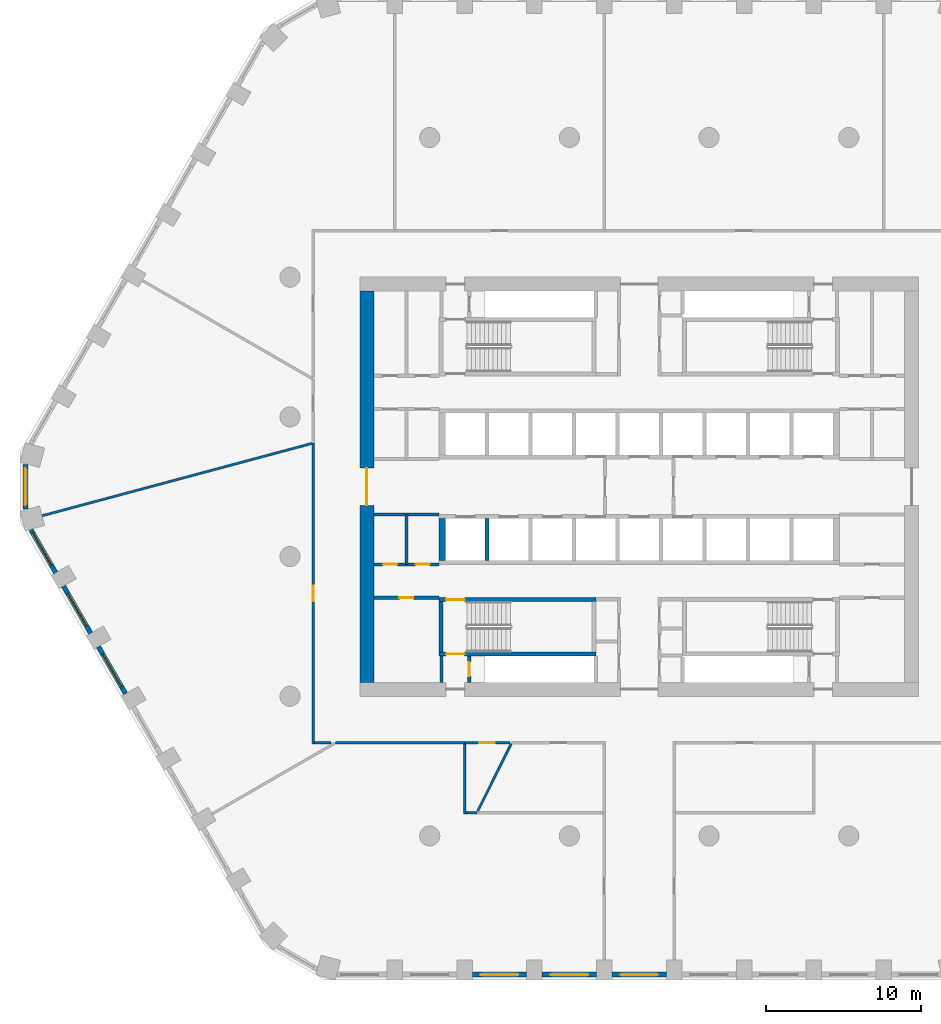
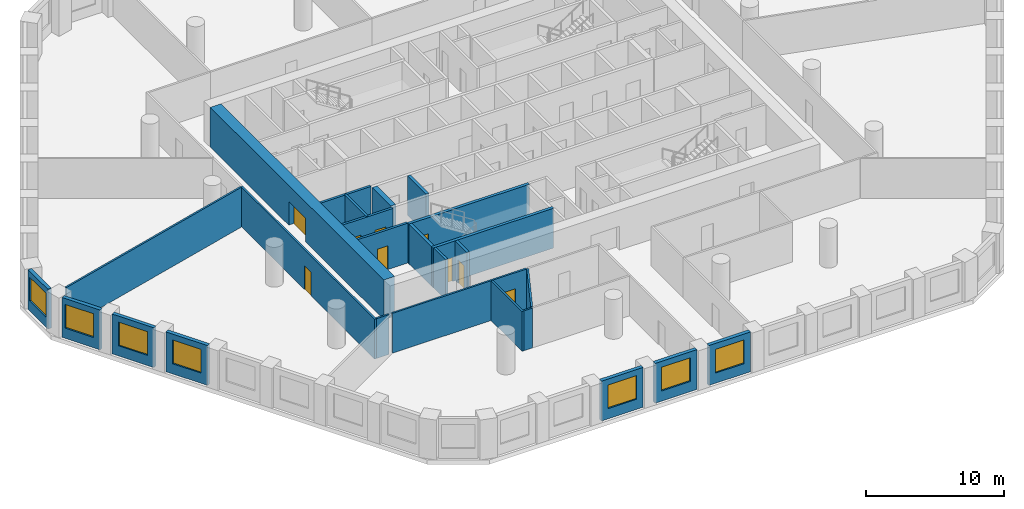
# One storey, part 2 of 9: 27 walls, 9 doors, 7 windows, 16 openings.
"""IFC4 building model written with IfcOpenShell, lengths in metres."""

from ifc_helpers import new_model, si_unit, direction, frame, frame_2d, origin, place, context, subcontext, project, spatial, polyline, rectangle, outline, extrude, material, layer, layer_set, type_object, element, fill, save


model = new_model("IFC4")

# Units and contexts
model_context = context("Model", 3, precision=1e-05, world=origin(), true_north=direction((0.0, 1.0)))
body_context = subcontext(model_context, "Body", "Model", "MODEL_VIEW")
ifc_project = project(units=[si_unit("LENGTHUNIT", "METRE"), si_unit("AREAUNIT", "SQUARE_METRE"), si_unit("VOLUMEUNIT", "CUBIC_METRE"), si_unit("PLANEANGLEUNIT", "RADIAN"), si_unit("MASSUNIT", "GRAM", prefix="KILO")], contexts=[model_context])

# Site, building, storey
site_placement = place(None, origin())
site = spatial("IfcSite", under=ifc_project, at=site_placement, CompositionType="ELEMENT")
building_placement = place(site_placement, origin())
building = spatial("IfcBuilding", under=site, at=building_placement, Name="Dhurran Vertical Campus", CompositionType="ELEMENT")
storey_placement = place(building_placement, frame((0.0, 0.0, 116.39990234375)))
storey = spatial("IfcBuildingStorey", under=building, at=storey_placement, Name="L28", CompositionType="ELEMENT", Elevation=116.39990234375)

# Wall, opening, window
ifc_material_1 = material(Name="Precast concrete C50/60", Category="concrete")
ifc_layer_1 = layer(ifc_material_1, 0.300048828125)
ifc_layer_set_1 = layer_set([ifc_layer_1], Name="Precast concrete C50/60")
wall_type_1 = type_object("IfcWallType", Name="Precast spandrel wall 300", PredefinedType="SOLIDWALL", material=ifc_layer_set_1)
wall_1_placement = place(storey_placement, frame((-10.74951171875, -31.4296875, 0.0), z_axis=(0.0, 0.0, 1.0), x_axis=(1.0, 0.0, 0.0)))
wall_1 = element("IfcWall", 1, at=wall_1_placement, inside=storey, type_object=wall_type_1, Name="EW1 L28.02", PredefinedType="SOLIDWALL", context=body_context, shape_type="SweptSolid", body=[
    extrude(rectangle(XDim=3.4990234375, YDim=0.300048828125, at=frame_2d((1.74951171875, 0.0))), origin(), (0.0, 0.0, 1.0), 3.525146484375),
])
opening_1_placement = place(wall_1_placement, frame((0.549560546875, 0.0, 0.89990234375)))
opening_1 = element("IfcOpeningElement", 2, at=opening_1_placement, cuts=wall_1, Name="Opening WT1", PredefinedType="OPENING", context=body_context, shape_type="SweptSolid", body=[
    extrude(rectangle(XDim=2.39990234375, YDim=2.10009765625, at=frame_2d((1.199951171875, 1.050048828125))), frame((0.0, 0.159912109375, 0.0), z_axis=(0.0, -1.0, 0.0), x_axis=(1.0, 0.0, 0.0)), (0.0, 0.0, 1.0), 0.320068359375),
])
ifc_material_2 = material(Name="Aluminium frame with solar-control glass", Category="aluminium")
window_type = type_object("IfcWindowType", Name="Punched window 2400 x 2100", PartitioningType="SINGLE_PANEL", PredefinedType="WINDOW", material=ifc_material_2)
window_1_placement = place(opening_1_placement, origin())
window_1 = element("IfcWindow", 3, at=window_1_placement, inside=storey, type_object=window_type, Name="WT1 L28.02", OverallHeight=2.10009765625, OverallWidth=2.39990234375, PartitioningType="SINGLE_PANEL", PredefinedType="WINDOW", context=body_context, shape_type="SweptSolid", body=[
    extrude(rectangle(XDim=2.39990234375, YDim=2.10009765625, at=frame_2d((1.199951171875, 1.050048828125))), frame((0.0, 0.030029296875, 0.0), z_axis=(0.0, -1.0, 0.0), x_axis=(1.0, 0.0, 0.0)), (0.0, 0.0, 1.0), 0.06005859375),
])
fill(opening_1, window_1)

wall_2_placement = place(storey_placement, frame((-6.24951171875, -31.4296875, 0.0), z_axis=(0.0, 0.0, 1.0), x_axis=(1.0, 0.0, 0.0)))
wall_2 = element("IfcWall", 4, at=wall_2_placement, inside=storey, type_object=wall_type_1, Name="EW1 L28.03", PredefinedType="SOLIDWALL", context=body_context, shape_type="SweptSolid", body=[
    extrude(rectangle(XDim=3.4990234375, YDim=0.300048828125, at=frame_2d((1.74951171875, 0.0))), origin(), (0.0, 0.0, 1.0), 3.525146484375),
])
opening_2_placement = place(wall_2_placement, frame((0.549560546875, 0.0, 0.89990234375)))
opening_2 = element("IfcOpeningElement", 5, at=opening_2_placement, cuts=wall_2, Name="Opening WT1", PredefinedType="OPENING", context=body_context, shape_type="SweptSolid", body=[
    extrude(rectangle(XDim=2.39990234375, YDim=2.10009765625, at=frame_2d((1.199951171875, 1.050048828125))), frame((0.0, 0.159912109375, 0.0), z_axis=(0.0, -1.0, 0.0), x_axis=(1.0, 0.0, 0.0)), (0.0, 0.0, 1.0), 0.320068359375),
])
window_2_placement = place(opening_2_placement, origin())
window_2 = element("IfcWindow", 6, at=window_2_placement, inside=storey, type_object=window_type, Name="WT1 L28.03", OverallHeight=2.10009765625, OverallWidth=2.39990234375, PartitioningType="SINGLE_PANEL", PredefinedType="WINDOW", context=body_context, shape_type="SweptSolid", body=[
    extrude(rectangle(XDim=2.39990234375, YDim=2.10009765625, at=frame_2d((1.199951171875, 1.050048828125))), frame((0.0, 0.030029296875, 0.0), z_axis=(0.0, -1.0, 0.0), x_axis=(1.0, 0.0, 0.0)), (0.0, 0.0, 1.0), 0.06005859375),
])
fill(opening_2, window_2)

wall_3_placement = place(storey_placement, frame((-1.74951171875, -31.4296875, 0.0), z_axis=(0.0, 0.0, 1.0), x_axis=(1.0, 0.0, 0.0)))
wall_3 = element("IfcWall", 7, at=wall_3_placement, inside=storey, type_object=wall_type_1, Name="EW1 L28.04", PredefinedType="SOLIDWALL", context=body_context, shape_type="SweptSolid", body=[
    extrude(rectangle(XDim=3.4990234375, YDim=0.300048828125, at=frame_2d((1.74951171875, 0.0))), origin(), (0.0, 0.0, 1.0), 3.525146484375),
])
opening_3_placement = place(wall_3_placement, frame((0.549560546875, 0.0, 0.89990234375)))
opening_3 = element("IfcOpeningElement", 8, at=opening_3_placement, cuts=wall_3, Name="Opening WT1", PredefinedType="OPENING", context=body_context, shape_type="SweptSolid", body=[
    extrude(rectangle(XDim=2.39990234375, YDim=2.10009765625, at=frame_2d((1.199951171875, 1.050048828125))), frame((0.0, 0.159912109375, 0.0), z_axis=(0.0, -1.0, 0.0), x_axis=(1.0, 0.0, 0.0)), (0.0, 0.0, 1.0), 0.320068359375),
])
window_3_placement = place(opening_3_placement, origin())
window_3 = element("IfcWindow", 9, at=window_3_placement, inside=storey, type_object=window_type, Name="WT1 L28.04", OverallHeight=2.10009765625, OverallWidth=2.39990234375, PartitioningType="SINGLE_PANEL", PredefinedType="WINDOW", context=body_context, shape_type="SweptSolid", body=[
    extrude(rectangle(XDim=2.39990234375, YDim=2.10009765625, at=frame_2d((1.199951171875, 1.050048828125))), frame((0.0, 0.030029296875, 0.0), z_axis=(0.0, -1.0, 0.0), x_axis=(1.0, 0.0, 0.0)), (0.0, 0.0, 1.0), 0.06005859375),
])
fill(opening_3, window_3)

wall_4_placement = place(storey_placement, frame((-39.547119140625, 1.44287109375, 0.0), z_axis=(0.0, 0.0, 1.0), x_axis=(0.0, -1.0, 0.0)))
wall_4 = element("IfcWall", 10, at=wall_4_placement, inside=storey, type_object=wall_type_1, Name="EW1 L28.43", PredefinedType="SOLIDWALL", context=body_context, shape_type="SweptSolid", body=[
    extrude(rectangle(XDim=2.8857421875, YDim=0.300048828125, at=frame_2d((1.44287109375, 0.0))), origin(), (0.0, 0.0, 1.0), 3.525146484375),
])
opening_4_placement = place(wall_4_placement, frame((0.242919921875, 0.0, 0.89990234375)))
opening_4 = element("IfcOpeningElement", 11, at=opening_4_placement, cuts=wall_4, Name="Opening WT1", PredefinedType="OPENING", context=body_context, shape_type="SweptSolid", body=[
    extrude(rectangle(XDim=2.39990234375, YDim=2.10009765625, at=frame_2d((1.199951171875, 1.050048828125))), frame((0.0, 0.159912109375, 0.0), z_axis=(0.0, -1.0, 0.0), x_axis=(1.0, 0.0, 0.0)), (0.0, 0.0, 1.0), 0.320068359375),
])
window_4_placement = place(opening_4_placement, origin())
window_4 = element("IfcWindow", 12, at=window_4_placement, inside=storey, type_object=window_type, Name="WT1 L28.43", OverallHeight=2.10009765625, OverallWidth=2.39990234375, PartitioningType="SINGLE_PANEL", PredefinedType="WINDOW", context=body_context, shape_type="SweptSolid", body=[
    extrude(rectangle(XDim=2.39990234375, YDim=2.10009765625, at=frame_2d((1.199951171875, 1.050048828125))), frame((0.0, 0.030029296875, 0.0), z_axis=(0.0, -1.0, 0.0), x_axis=(1.0, 0.0, 0.0)), (0.0, 0.0, 1.0), 0.06005859375),
])
fill(opening_4, window_4)

wall_5_placement = place(storey_placement, frame((-39.1904296875, -2.774169921875, 0.0), z_axis=(0.0, 0.0, 1.0), x_axis=(0.500004907028, -0.866022570692, 0.0)))
wall_5 = element("IfcWall", 13, at=wall_5_placement, inside=storey, type_object=wall_type_1, Name="EW1 L28.44", PredefinedType="SOLIDWALL", context=body_context, shape_type="SweptSolid", body=[
    extrude(rectangle(XDim=3.1923828125, YDim=0.300048828125, at=frame_2d((1.59619140625, 0.0))), origin(), (0.0, 0.0, 1.0), 3.525146484375),
])
opening_5_placement = place(wall_5_placement, frame((0.242919921875, 0.0, 0.89990234375)))
opening_5 = element("IfcOpeningElement", 14, at=opening_5_placement, cuts=wall_5, Name="Opening WT1", PredefinedType="OPENING", context=body_context, shape_type="SweptSolid", body=[
    extrude(rectangle(XDim=2.39990234375, YDim=2.10009765625, at=frame_2d((1.199951171875, 1.050048828125))), frame((0.0, 0.159912109375, 0.0), z_axis=(0.0, -1.0, 0.0), x_axis=(1.0, 0.0, 0.0)), (0.0, 0.0, 1.0), 0.320068359375),
])
window_5_placement = place(opening_5_placement, origin())
window_5 = element("IfcWindow", 15, at=window_5_placement, inside=storey, type_object=window_type, Name="WT1 L28.44", OverallHeight=2.10009765625, OverallWidth=2.39990234375, PartitioningType="SINGLE_PANEL", PredefinedType="WINDOW", context=body_context, shape_type="SweptSolid", body=[
    extrude(rectangle(XDim=2.39990234375, YDim=2.10009765625, at=frame_2d((1.199951171875, 1.050048828125))), frame((0.0, 0.030029296875, 0.0), z_axis=(0.0, -1.0, 0.0), x_axis=(1.0, 0.0, 0.0)), (0.0, 0.0, 1.0), 0.06005859375),
])
fill(opening_5, window_5)

wall_6_placement = place(storey_placement, frame((-37.09375, -6.405517578125, 0.0), z_axis=(0.0, 0.0, 1.0), x_axis=(0.499996256241, -0.866027565234, 0.0)))
wall_6 = element("IfcWall", 16, at=wall_6_placement, inside=storey, type_object=wall_type_1, Name="EW1 L28.45", PredefinedType="SOLIDWALL", context=body_context, shape_type="SweptSolid", body=[
    extrude(rectangle(XDim=3.4990234375, YDim=0.300048828125, at=frame_2d((1.74951171875, 0.0))), origin(), (0.0, 0.0, 1.0), 3.525146484375),
])
opening_6_placement = place(wall_6_placement, frame((0.549560546875, 0.0, 0.89990234375)))
opening_6 = element("IfcOpeningElement", 17, at=opening_6_placement, cuts=wall_6, Name="Opening WT1", PredefinedType="OPENING", context=body_context, shape_type="SweptSolid", body=[
    extrude(rectangle(XDim=2.39990234375, YDim=2.10009765625, at=frame_2d((1.199951171875, 1.050048828125))), frame((0.0, 0.159912109375, 0.0), z_axis=(0.0, -1.0, 0.0), x_axis=(1.0, 0.0, 0.0)), (0.0, 0.0, 1.0), 0.320068359375),
])
window_6_placement = place(opening_6_placement, origin())
window_6 = element("IfcWindow", 18, at=window_6_placement, inside=storey, type_object=window_type, Name="WT1 L28.45", OverallHeight=2.10009765625, OverallWidth=2.39990234375, PartitioningType="SINGLE_PANEL", PredefinedType="WINDOW", context=body_context, shape_type="SweptSolid", body=[
    extrude(rectangle(XDim=2.39990234375, YDim=2.10009765625, at=frame_2d((1.199951171875, 1.050048828125))), frame((0.0, 0.030029296875, 0.0), z_axis=(0.0, -1.0, 0.0), x_axis=(1.0, 0.0, 0.0)), (0.0, 0.0, 1.0), 0.06005859375),
])
fill(opening_6, window_6)

wall_7_placement = place(storey_placement, frame((-34.84375, -10.302734375, 0.0), z_axis=(0.0, 0.0, 1.0), x_axis=(0.499996256241, -0.866027565234, 0.0)))
wall_7 = element("IfcWall", 19, at=wall_7_placement, inside=storey, type_object=wall_type_1, Name="EW1 L28.46", PredefinedType="SOLIDWALL", context=body_context, shape_type="SweptSolid", body=[
    extrude(rectangle(XDim=3.4990234375, YDim=0.300048828125, at=frame_2d((1.74951171875, 0.0))), origin(), (0.0, 0.0, 1.0), 3.525146484375),
])
opening_7_placement = place(wall_7_placement, frame((0.549560546875, 0.0, 0.89990234375)))
opening_7 = element("IfcOpeningElement", 20, at=opening_7_placement, cuts=wall_7, Name="Opening WT1", PredefinedType="OPENING", context=body_context, shape_type="SweptSolid", body=[
    extrude(rectangle(XDim=2.39990234375, YDim=2.10009765625, at=frame_2d((1.199951171875, 1.050048828125))), frame((0.0, 0.159912109375, 0.0), z_axis=(0.0, -1.0, 0.0), x_axis=(1.0, 0.0, 0.0)), (0.0, 0.0, 1.0), 0.320068359375),
])
window_7_placement = place(opening_7_placement, origin())
window_7 = element("IfcWindow", 21, at=window_7_placement, inside=storey, type_object=window_type, Name="WT1 L28.46", OverallHeight=2.10009765625, OverallWidth=2.39990234375, PartitioningType="SINGLE_PANEL", PredefinedType="WINDOW", context=body_context, shape_type="SweptSolid", body=[
    extrude(rectangle(XDim=2.39990234375, YDim=2.10009765625, at=frame_2d((1.199951171875, 1.050048828125))), frame((0.0, 0.030029296875, 0.0), z_axis=(0.0, -1.0, 0.0), x_axis=(1.0, 0.0, 0.0)), (0.0, 0.0, 1.0), 0.06005859375),
])
fill(opening_7, window_7)

# Wall, opening, door
ifc_material_3 = material(Name="Concrete C60/75", Category="concrete")
ifc_layer_2 = layer(ifc_material_3, 0.89990234375)
ifc_layer_set_2 = layer_set([ifc_layer_2], Name="Concrete C60/75")
wall_type_2 = type_object("IfcWallType", Name="co-CORE-WALL-C0-900", PredefinedType="SHEAR", material=ifc_layer_set_2)
wall_8_placement = place(storey_placement, frame((-17.550048828125, -12.60009765625, 0.0), z_axis=(0.0, 0.0, 1.0), x_axis=(0.0, 1.0, 0.0)))
wall_8 = element("IfcWall", 22, at=wall_8_placement, inside=storey, type_object=wall_type_2, Name="Core wall W L28", PredefinedType="SHEAR", context=body_context, shape_type="SweptSolid", body=[
    extrude(rectangle(XDim=25.2001953125, YDim=0.89990234375, at=frame_2d((12.60009765625, 0.0))), origin(), (0.0, 0.0, 1.0), 3.525146484375),
])
opening_8_placement = place(wall_8_placement, frame((11.39990234375, 0.0, 0.0)))
opening_8 = element("IfcOpeningElement", 23, at=opening_8_placement, cuts=wall_8, Name="Opening CL1", PredefinedType="OPENING", context=body_context, shape_type="SweptSolid", body=[
    extrude(rectangle(XDim=2.39990234375, YDim=2.10009765625, at=frame_2d((1.199951171875, 1.050048828125))), frame((0.0, 0.4599609375, 0.0), z_axis=(0.0, -1.0, 0.0), x_axis=(1.0, 0.0, 0.0)), (0.0, 0.0, 1.0), 0.919921875),
])
ifc_material_4 = material(Name="Fire-rated glazed door set")
door_type_1 = type_object("IfcDoorType", Name="co-D-LOBBY 2400x2100", OperationType="DOUBLE_DOOR_DOUBLE_SWING", PredefinedType="DOOR", material=ifc_material_4)
door_1_placement = place(opening_8_placement, origin())
door_1 = element("IfcDoor", 24, at=door_1_placement, inside=storey, type_object=door_type_1, Name="Lift lobby door W L28", OperationType="DOUBLE_DOOR_DOUBLE_SWING", OverallHeight=2.10009765625, OverallWidth=2.39990234375, PredefinedType="DOOR", context=body_context, shape_type="SweptSolid", body=[
    extrude(rectangle(XDim=2.39990234375, YDim=2.10009765625, at=frame_2d((1.199951171875, 1.050048828125))), frame((0.0, 0.02490234375, 0.0), z_axis=(0.0, -1.0, 0.0), x_axis=(1.0, 0.0, 0.0)), (0.0, 0.0, 1.0), 0.050048828125),
])
fill(opening_8, door_1)

# Wall
ifc_material_5 = material(Name="Fire-rated masonry blockwork", Category="masonry")
ifc_layer_3 = layer(ifc_material_5, 0.199951171875)
ifc_layer_set_3 = layer_set([ifc_layer_3], Name="Fire-rated masonry blockwork")
wall_type_3 = type_object("IfcWallType", Name="co-FIRE-PARTITION-200", PredefinedType="PARTITIONING", material=ifc_layer_set_3)
wall_9_placement = place(storey_placement, frame((-12.75, -12.60009765625, 0.0), z_axis=(0.0, 0.0, 1.0), x_axis=(0.0, 1.0, 0.0)))
element("IfcWall", 25, at=wall_9_placement, inside=storey, type_object=wall_type_3, Name="Core partition pass-ST3-o L28", PredefinedType="PARTITIONING", context=body_context, shape_type="SweptSolid", body=[
    extrude(rectangle(XDim=1.7001953125, YDim=0.199951171875, at=frame_2d((0.85009765625, 0.0))), origin(), (0.0, 0.0, 1.0), 3.525146484375),
])

# Wall, opening, door
wall_10_placement = place(storey_placement, frame((-10.949951171875, -12.60009765625, 0.0), z_axis=(0.0, 0.0, 1.0), x_axis=(0.0, 1.0, 0.0)))
wall_10 = element("IfcWall", 26, at=wall_10_placement, inside=storey, type_object=wall_type_3, Name="Core partition pass-ST3-i L28", PredefinedType="PARTITIONING", context=body_context, shape_type="SweptSolid", body=[
    extrude(rectangle(XDim=1.7001953125, YDim=0.199951171875, at=frame_2d((0.85009765625, 0.0))), origin(), (0.0, 0.0, 1.0), 3.525146484375),
])
opening_9_placement = place(wall_10_placement, frame((0.39990234375, 0.0, 0.0)))
opening_9 = element("IfcOpeningElement", 27, at=opening_9_placement, cuts=wall_10, Name="Opening T08-C11", PredefinedType="OPENING", context=body_context, shape_type="SweptSolid", body=[
    extrude(rectangle(XDim=0.89990234375, YDim=2.10009765625, at=frame_2d((0.449951171875, 1.050048828125))), frame((0.0, 0.10986328125, 0.0), z_axis=(0.0, -1.0, 0.0), x_axis=(1.0, 0.0, 0.0)), (0.0, 0.0, 1.0), 0.219970703125),
])
ifc_material_6 = material(Name="Fire-rated timber door set", Category="wood")
door_type_2 = type_object("IfcDoorType", Name="co-D-ROOM 900x2100", OperationType="SINGLE_SWING_LEFT", PredefinedType="DOOR", material=ifc_material_6)
door_2_placement = place(opening_9_placement, origin())
door_2 = element("IfcDoor", 28, at=door_2_placement, inside=storey, type_object=door_type_2, Name="Riser room door L28", OperationType="SINGLE_SWING_LEFT", OverallHeight=2.10009765625, OverallWidth=0.89990234375, PredefinedType="DOOR", context=body_context, shape_type="SweptSolid", body=[
    extrude(rectangle(XDim=0.89990234375, YDim=2.10009765625, at=frame_2d((0.449951171875, 1.050048828125))), frame((0.0, 0.02490234375, 0.0), z_axis=(0.0, -1.0, 0.0), x_axis=(1.0, 0.0, 0.0)), (0.0, 0.0, 1.0), 0.050048828125),
])
fill(opening_9, door_2)

wall_11_placement = place(storey_placement, frame((-17.10009765625, -7.14990234375, 0.0), z_axis=(0.0, 0.0, 1.0), x_axis=(1.0, 0.0, 0.0)))
wall_11 = element("IfcWall", 29, at=wall_11_placement, inside=storey, type_object=wall_type_3, Name="Core partition en-SW-w L28", PredefinedType="PARTITIONING", context=body_context, shape_type="SweptSolid", body=[
    extrude(rectangle(XDim=4.2001953125, YDim=0.199951171875, at=frame_2d((2.10009765625, 0.0))), origin(), (0.0, 0.0, 1.0), 3.525146484375),
])
opening_10_placement = place(wall_11_placement, frame((1.64990234375, 0.0, 0.0)))
opening_10 = element("IfcOpeningElement", 30, at=opening_10_placement, cuts=wall_11, Name="Opening T08-C21", PredefinedType="OPENING", context=body_context, shape_type="SweptSolid", body=[
    extrude(rectangle(XDim=0.89990234375, YDim=2.10009765625, at=frame_2d((0.449951171875, 1.050048828125))), frame((0.0, 0.10986328125, 0.0), z_axis=(0.0, -1.0, 0.0), x_axis=(1.0, 0.0, 0.0)), (0.0, 0.0, 1.0), 0.219970703125),
])
door_3_placement = place(opening_10_placement, origin())
door_3 = element("IfcDoor", 31, at=door_3_placement, inside=storey, type_object=door_type_2, Name="Waste room door L28", OperationType="SINGLE_SWING_LEFT", OverallHeight=2.10009765625, OverallWidth=0.89990234375, PredefinedType="DOOR", context=body_context, shape_type="SweptSolid", body=[
    extrude(rectangle(XDim=0.89990234375, YDim=2.10009765625, at=frame_2d((0.449951171875, 1.050048828125))), frame((0.0, 0.02490234375, 0.0), z_axis=(0.0, -1.0, 0.0), x_axis=(1.0, 0.0, 0.0)), (0.0, 0.0, 1.0), 0.050048828125),
])
fill(opening_10, door_3)

# Wall
wall_12_placement = place(storey_placement, frame((-15.0, -5.0, 0.0), z_axis=(0.0, 0.0, 1.0), x_axis=(0.0, 1.0, 0.0)))
element("IfcWall", 32, at=wall_12_placement, inside=storey, type_object=wall_type_3, Name="Core partition es-SW-cut0 L28", PredefinedType="PARTITIONING", context=body_context, shape_type="SweptSolid", body=[
    extrude(rectangle(XDim=3.199951171875, YDim=0.199951171875, at=frame_2d((1.60009765625, 0.0))), origin(), (0.0, 0.0, 1.0), 3.525146484375),
])

# Wall, openings, doors
wall_13_placement = place(storey_placement, frame((-17.10009765625, -5.0, 0.0), z_axis=(0.0, 0.0, 1.0), x_axis=(1.0, 0.0, 0.0)))
wall_13 = element("IfcWall", 33, at=wall_13_placement, inside=storey, type_object=wall_type_3, Name="Core partition es-SW-w L28", PredefinedType="PARTITIONING", context=body_context, shape_type="SweptSolid", body=[
    extrude(rectangle(XDim=4.2001953125, YDim=0.199951171875, at=frame_2d((2.10009765625, 0.0))), origin(), (0.0, 0.0, 1.0), 3.525146484375),
])
opening_11_placement = place(wall_13_placement, frame((0.60009765625, 0.0, 0.0)))
opening_11 = element("IfcOpeningElement", 34, at=opening_11_placement, cuts=wall_13, Name="Opening T08-C22", PredefinedType="OPENING", context=body_context, shape_type="SweptSolid", body=[
    extrude(rectangle(XDim=0.89990234375, YDim=2.10009765625, at=frame_2d((0.449951171875, 1.050048828125))), frame((0.0, 0.10986328125, 0.0), z_axis=(0.0, -1.0, 0.0), x_axis=(1.0, 0.0, 0.0)), (0.0, 0.0, 1.0), 0.219970703125),
])
opening_12_placement = place(wall_13_placement, frame((2.699951171875, 0.0, 0.0)))
opening_12 = element("IfcOpeningElement", 35, at=opening_12_placement, cuts=wall_13, Name="Opening T08-C23", PredefinedType="OPENING", context=body_context, shape_type="SweptSolid", body=[
    extrude(rectangle(XDim=0.89990234375, YDim=2.10009765625, at=frame_2d((0.449951171875, 1.050048828125))), frame((0.0, 0.10986328125, 0.0), z_axis=(0.0, -1.0, 0.0), x_axis=(1.0, 0.0, 0.0)), (0.0, 0.0, 1.0), 0.219970703125),
])
door_4_placement = place(opening_11_placement, origin())
door_4 = element("IfcDoor", 36, at=door_4_placement, inside=storey, type_object=door_type_2, Name="Communications room door L28", OperationType="SINGLE_SWING_LEFT", OverallHeight=2.10009765625, OverallWidth=0.89990234375, PredefinedType="DOOR", context=body_context, shape_type="SweptSolid", body=[
    extrude(rectangle(XDim=0.89990234375, YDim=2.10009765625, at=frame_2d((0.449951171875, 1.050048828125))), frame((0.0, 0.02490234375, 0.0), z_axis=(0.0, -1.0, 0.0), x_axis=(1.0, 0.0, 0.0)), (0.0, 0.0, 1.0), 0.050048828125),
])
fill(opening_11, door_4)
door_5_placement = place(opening_12_placement, origin())
door_5 = element("IfcDoor", 37, at=door_5_placement, inside=storey, type_object=door_type_2, Name="Electrical riser door L28", OperationType="SINGLE_SWING_LEFT", OverallHeight=2.10009765625, OverallWidth=0.89990234375, PredefinedType="DOOR", context=body_context, shape_type="SweptSolid", body=[
    extrude(rectangle(XDim=0.89990234375, YDim=2.10009765625, at=frame_2d((0.449951171875, 1.050048828125))), frame((0.0, 0.02490234375, 0.0), z_axis=(0.0, -1.0, 0.0), x_axis=(1.0, 0.0, 0.0)), (0.0, 0.0, 1.0), 0.050048828125),
])
fill(opening_12, door_5)

# Walls
wall_14_placement = place(storey_placement, frame((-17.10009765625, -1.800048828125, 0.0), z_axis=(0.0, 0.0, 1.0), x_axis=(1.0, 0.0, 0.0)))
element("IfcWall", 38, at=wall_14_placement, inside=storey, type_object=wall_type_3, Name="Core partition es-SW-l L28", PredefinedType="PARTITIONING", context=body_context, shape_type="SweptSolid", body=[
    extrude(rectangle(XDim=4.2001953125, YDim=0.199951171875, at=frame_2d((2.10009765625, 0.0))), origin(), (0.0, 0.0, 1.0), 3.525146484375),
])
ifc_material_7 = material(Name="Concrete C50/60", Category="concrete")
ifc_layer_4 = layer(ifc_material_7, 0.25)
ifc_layer_set_4 = layer_set([ifc_layer_4], Name="Concrete C50/60")
wall_type_4 = type_object("IfcWallType", Name="co-SHAFT-MASS-250", PredefinedType="SHEAR", material=ifc_layer_set_4)
wall_15_placement = place(storey_placement, origin())
element("IfcWall", 39, at=wall_15_placement, inside=storey, type_object=wall_type_4, Name="Lift shaft wall S L28 2", PredefinedType="SHEAR", context=body_context, shape_type="SweptSolid", body=[
    extrude(outline(polyline([(-12.89990234375, -4.75), (-12.47509765625, -4.75), (-12.47509765625, -2.050048828125), (-12.89990234375, -2.050048828125), (-12.89990234375, -4.75)])), origin(), (0.0, 0.0, 1.0), 3.525146484375),
])
wall_16_placement = place(storey_placement, origin())
element("IfcWall", 40, at=wall_16_placement, inside=storey, type_object=wall_type_4, Name="Lift shaft wall S L28 3", PredefinedType="SHEAR", context=body_context, shape_type="SweptSolid", body=[
    extrude(outline(polyline([(-9.925048828125, -4.75), (-9.675048828125, -4.75), (-9.675048828125, -2.050048828125), (-9.925048828125, -2.050048828125), (-9.925048828125, -4.75)])), origin(), (0.0, 0.0, 1.0), 3.525146484375),
])

# Wall, opening, door
ifc_material_8 = material(Name="Concrete C40/50", Category="concrete")
ifc_layer_5 = layer(ifc_material_8, 0.25)
ifc_layer_set_5 = layer_set([ifc_layer_5], Name="Concrete C40/50")
wall_type_5 = type_object("IfcWallType", Name="co-STAIR-WALL-250", PredefinedType="SHEAR", material=ifc_layer_set_5)
wall_17_placement = place(storey_placement, frame((-12.89990234375, -10.77490234375, 0.0), z_axis=(0.0, 0.0, 1.0), x_axis=(1.0, 0.0, 0.0)))
wall_17 = element("IfcWall", 41, at=wall_17_placement, inside=storey, type_object=wall_type_5, Name="Stair ST3 enclosure wall L28", PredefinedType="SHEAR", context=body_context, shape_type="SweptSolid", body=[
    extrude(rectangle(XDim=10.099853515625, YDim=0.25, at=frame_2d((5.0498046875, 0.0))), origin(), (0.0, 0.0, 1.0), 3.525146484375),
])
opening_13_placement = place(wall_17_placement, frame((0.449951171875, 0.0, 0.0)))
opening_13 = element("IfcOpeningElement", 42, at=opening_13_placement, cuts=wall_17, Name="Opening XS3", PredefinedType="OPENING", context=body_context, shape_type="SweptSolid", body=[
    extrude(rectangle(XDim=1.199951171875, YDim=2.10009765625, at=frame_2d((0.60009765625, 1.050048828125))), frame((0.0, 0.135009765625, 0.0), z_axis=(0.0, -1.0, 0.0), x_axis=(1.0, 0.0, 0.0)), (0.0, 0.0, 1.0), 0.27001953125),
])
ifc_material_9 = material(Name="Fire-rated steel door set", Category="steel")
door_type_3 = type_object("IfcDoorType", Name="co-D-STAIR-EXIT 1200x2100", OperationType="SINGLE_SWING_RIGHT", PredefinedType="DOOR", material=ifc_material_9)
door_6_placement = place(opening_13_placement, origin())
door_6 = element("IfcDoor", 43, at=door_6_placement, inside=storey, type_object=door_type_3, Name="Stair ST3 discharge door L28", OperationType="SINGLE_SWING_RIGHT", OverallHeight=2.10009765625, OverallWidth=1.199951171875, PredefinedType="DOOR", context=body_context, shape_type="SweptSolid", body=[
    extrude(rectangle(XDim=1.199951171875, YDim=2.10009765625, at=frame_2d((0.60009765625, 1.050048828125))), frame((0.0, 0.02490234375, 0.0), z_axis=(0.0, -1.0, 0.0), x_axis=(1.0, 0.0, 0.0)), (0.0, 0.0, 1.0), 0.050048828125),
])
fill(opening_13, door_6)

wall_18_placement = place(storey_placement, frame((-12.89990234375, -7.27490234375, 0.0), z_axis=(0.0, 0.0, 1.0), x_axis=(1.0, 0.0, 0.0)))
wall_18 = element("IfcWall", 44, at=wall_18_placement, inside=storey, type_object=wall_type_5, Name="Stair ST3 enclosure wall L28", PredefinedType="SHEAR", context=body_context, shape_type="SweptSolid", body=[
    extrude(rectangle(XDim=10.099853515625, YDim=0.25, at=frame_2d((5.0498046875, 0.0))), origin(), (0.0, 0.0, 1.0), 3.525146484375),
])
opening_14_placement = place(wall_18_placement, frame((0.449951171875, 0.0, 0.0)))
opening_14 = element("IfcOpeningElement", 45, at=opening_14_placement, cuts=wall_18, Name="Opening SD3", PredefinedType="OPENING", context=body_context, shape_type="SweptSolid", body=[
    extrude(rectangle(XDim=1.199951171875, YDim=2.10009765625, at=frame_2d((0.60009765625, 1.050048828125))), frame((0.0, 0.135009765625, 0.0), z_axis=(0.0, -1.0, 0.0), x_axis=(1.0, 0.0, 0.0)), (0.0, 0.0, 1.0), 0.27001953125),
])
ifc_material_10 = material(Name="Fire-rated steel door set", Category="steel")
door_type_4 = type_object("IfcDoorType", Name="co-D-STAIR 1200x2100", OperationType="SINGLE_SWING_LEFT", PredefinedType="DOOR", material=ifc_material_10)
door_7_placement = place(opening_14_placement, origin())
door_7 = element("IfcDoor", 46, at=door_7_placement, inside=storey, type_object=door_type_4, Name="Stair ST3 door L28", OperationType="SINGLE_SWING_LEFT", OverallHeight=2.10009765625, OverallWidth=1.199951171875, PredefinedType="DOOR", context=body_context, shape_type="SweptSolid", body=[
    extrude(rectangle(XDim=1.199951171875, YDim=2.10009765625, at=frame_2d((0.60009765625, 1.050048828125))), frame((0.0, 0.02490234375, 0.0), z_axis=(0.0, -1.0, 0.0), x_axis=(1.0, 0.0, 0.0)), (0.0, 0.0, 1.0), 0.050048828125),
])
fill(opening_14, door_7)

# Wall
wall_19_placement = place(storey_placement, frame((-12.77490234375, -10.64990234375, 0.0), z_axis=(0.0, 0.0, 1.0), x_axis=(0.0, 1.0, 0.0)))
element("IfcWall", 47, at=wall_19_placement, inside=storey, type_object=wall_type_5, Name="Stair ST3 enclosure wall L28", PredefinedType="SHEAR", context=body_context, shape_type="SweptSolid", body=[
    extrude(rectangle(XDim=3.25, YDim=0.25, at=frame_2d((1.625, 0.0))), origin(), (0.0, 0.0, 1.0), 3.525146484375),
])

# Wall, opening, door
ifc_material_11 = material(Name="Gypsum board corridor wall on steel studs", Category="steel")
ifc_layer_6 = layer(ifc_material_11, 0.14990234375)
ifc_layer_set_6 = layer_set([ifc_layer_6], Name="Gypsum board corridor wall on steel studs")
wall_type_6 = type_object("IfcWallType", Name="fl-CW-150 corridor wall", PredefinedType="PARTITIONING", material=ifc_layer_set_6)
wall_20_placement = place(storey_placement, frame((-21.0, 2.81298828125, 0.0), z_axis=(0.0, 0.0, 1.0), x_axis=(0.0, -1.0, 0.0)))
wall_20 = element("IfcWall", 48, at=wall_20_placement, inside=storey, type_object=wall_type_6, Name="Partition 28-04", PredefinedType="PARTITIONING", context=body_context, shape_type="SweptSolid", body=[
    extrude(rectangle(XDim=19.387939453125, YDim=0.14990234375, at=frame_2d((9.69384765625, 0.0))), origin(), (0.0, 0.0, 1.0), 3.525146484375),
])
opening_15_placement = place(wall_20_placement, frame((9.194091796875, 0.0, 0.0)))
opening_15 = element("IfcOpeningElement", 49, at=opening_15_placement, cuts=wall_20, Name="Opening T08.02", PredefinedType="OPENING", context=body_context, shape_type="SweptSolid", body=[
    extrude(rectangle(XDim=1.0, YDim=2.10009765625, at=frame_2d((0.5, 1.050048828125))), frame((0.0, 0.0849609375, 0.0), z_axis=(0.0, -1.0, 0.0), x_axis=(1.0, 0.0, 0.0)), (0.0, 0.0, 1.0), 0.169921875),
])
ifc_material_12 = material(Name="Solid-core timber door set, fire-rated", Category="wood")
door_type_5 = type_object("IfcDoorType", Name="fl-D-1000x2100", OperationType="SINGLE_SWING_LEFT", PredefinedType="DOOR", material=ifc_material_12)
door_8_placement = place(opening_15_placement, origin())
door_8 = element("IfcDoor", 50, at=door_8_placement, inside=storey, type_object=door_type_5, Name="Door 28.02", OperationType="SINGLE_SWING_RIGHT", OverallHeight=2.10009765625, OverallWidth=1.0, PredefinedType="DOOR", context=body_context, shape_type="SweptSolid", body=[
    extrude(rectangle(XDim=1.0, YDim=2.10009765625, at=frame_2d((0.5, 1.050048828125))), frame((0.0, 0.02490234375, 0.0), z_axis=(0.0, -1.0, 0.0), x_axis=(1.0, 0.0, 0.0)), (0.0, 0.0, 1.0), 0.050048828125),
])
fill(opening_15, door_8)

# Walls
wall_21_placement = place(storey_placement, frame((-20.925048828125, -16.5, 0.0), z_axis=(0.0, 0.0, 1.0), x_axis=(1.0, 0.0, 0.0)))
element("IfcWall", 51, at=wall_21_placement, inside=storey, type_object=wall_type_6, Name="Partition 28-05", PredefinedType="PARTITIONING", context=body_context, shape_type="SweptSolid", body=[
    extrude(rectangle(XDim=1.071044921875, YDim=0.14990234375, at=frame_2d((0.53564453125, 0.0))), origin(), (0.0, 0.0, 1.0), 3.525146484375),
])
wall_22_placement = place(storey_placement, frame((-19.5791015625, -16.5, 0.0), z_axis=(0.0, 0.0, 1.0), x_axis=(1.0, 0.0, 0.0)))
element("IfcWall", 52, at=wall_22_placement, inside=storey, type_object=wall_type_6, Name="Partition 28-09", PredefinedType="PARTITIONING", context=body_context, shape_type="SweptSolid", body=[
    extrude(rectangle(XDim=8.3291015625, YDim=0.14990234375, at=frame_2d((4.16455078125, 0.0))), origin(), (0.0, 0.0, 1.0), 3.525146484375),
])

# Wall, opening, door
wall_23_placement = place(storey_placement, frame((-11.25, -16.5, 0.0), z_axis=(0.0, 0.0, 1.0), x_axis=(1.0, 0.0, 0.0)))
wall_23 = element("IfcWall", 53, at=wall_23_placement, inside=storey, type_object=wall_type_6, Name="Partition 28-14", PredefinedType="PARTITIONING", context=body_context, shape_type="SweptSolid", body=[
    extrude(rectangle(XDim=2.912109375, YDim=0.14990234375, at=frame_2d((1.4560546875, 0.0))), origin(), (0.0, 0.0, 1.0), 3.525146484375),
])
opening_16_placement = place(wall_23_placement, frame((0.9560546875, 0.0, 0.0)))
opening_16 = element("IfcOpeningElement", 54, at=opening_16_placement, cuts=wall_23, Name="Opening T08.05", PredefinedType="OPENING", context=body_context, shape_type="SweptSolid", body=[
    extrude(rectangle(XDim=1.0, YDim=2.10009765625, at=frame_2d((0.5, 1.050048828125))), frame((0.0, 0.0849609375, 0.0), z_axis=(0.0, -1.0, 0.0), x_axis=(1.0, 0.0, 0.0)), (0.0, 0.0, 1.0), 0.169921875),
])
door_9_placement = place(opening_16_placement, origin())
door_9 = element("IfcDoor", 55, at=door_9_placement, inside=storey, type_object=door_type_5, Name="Door 28.05", OperationType="SINGLE_SWING_RIGHT", OverallHeight=2.10009765625, OverallWidth=1.0, PredefinedType="DOOR", context=body_context, shape_type="SweptSolid", body=[
    extrude(rectangle(XDim=1.0, YDim=2.10009765625, at=frame_2d((0.5, 1.050048828125))), frame((0.0, 0.02490234375, 0.0), z_axis=(0.0, -1.0, 0.0), x_axis=(1.0, 0.0, 0.0)), (0.0, 0.0, 1.0), 0.050048828125),
])
fill(opening_16, door_9)

# Walls
ifc_material_13 = material(Name="Gypsum board partition on steel studs", Category="steel")
ifc_layer_7 = layer(ifc_material_13, 0.14990234375)
ifc_layer_set_7 = layer_set([ifc_layer_7], Name="Gypsum board partition on steel studs")
wall_type_7 = type_object("IfcWallType", Name="fl-PW-150 fixed partition", PredefinedType="PARTITIONING", material=ifc_layer_set_7)
wall_24_placement = place(storey_placement, frame((-21.091796875, 2.788330078125, 0.0), z_axis=(0.0, 0.0, 1.0), x_axis=(-0.965925618712, -0.25881981979, 0.0)))
element("IfcWall", 56, at=wall_24_placement, inside=storey, type_object=wall_type_7, Name="Partition 28-01", PredefinedType="PARTITIONING", context=body_context, shape_type="SweptSolid", body=[
    extrude(rectangle(XDim=17.974365234375, YDim=0.14990234375, at=frame_2d((8.9873046875, 0.0))), origin(), (0.0, 0.0, 1.0), 3.525146484375),
])
wall_25_placement = place(storey_placement, frame((-11.25, -16.574951171875, 0.0), z_axis=(0.0, 0.0, 1.0), x_axis=(0.0, -1.0, 0.0)))
element("IfcWall", 57, at=wall_25_placement, inside=storey, type_object=wall_type_7, Name="Partition 28-12", PredefinedType="PARTITIONING", context=body_context, shape_type="SweptSolid", body=[
    extrude(rectangle(XDim=4.5, YDim=0.14990234375, at=frame_2d((2.25, 0.0))), origin(), (0.0, 0.0, 1.0), 3.525146484375),
])
wall_26_placement = place(storey_placement, frame((-11.175048828125, -21.0, 0.0), z_axis=(0.0, 0.0, 1.0), x_axis=(1.0, 0.0, 0.0)))
element("IfcWall", 58, at=wall_26_placement, inside=storey, type_object=wall_type_7, Name="Partition 28-13", PredefinedType="PARTITIONING", context=body_context, shape_type="SweptSolid", body=[
    extrude(rectangle(XDim=0.714111328125, YDim=0.14990234375, at=frame_2d((0.35693359375, 0.0))), origin(), (0.0, 0.0, 1.0), 3.525146484375),
])
wall_27_placement = place(storey_placement, frame((-8.25146484375, -16.567138671875, 0.0), z_axis=(0.0, 0.0, 1.0), x_axis=(-0.446101910457, -0.894982170486, 0.0)))
element("IfcWall", 59, at=wall_27_placement, inside=storey, type_object=wall_type_7, Name="Partition 28-15", PredefinedType="PARTITIONING", context=body_context, shape_type="SweptSolid", body=[
    extrude(rectangle(XDim=4.8330078125, YDim=0.14990234375, at=frame_2d((2.41650390625, 0.0))), origin(), (0.0, 0.0, 1.0), 3.525146484375),
])

save(model, "model.ifc")
